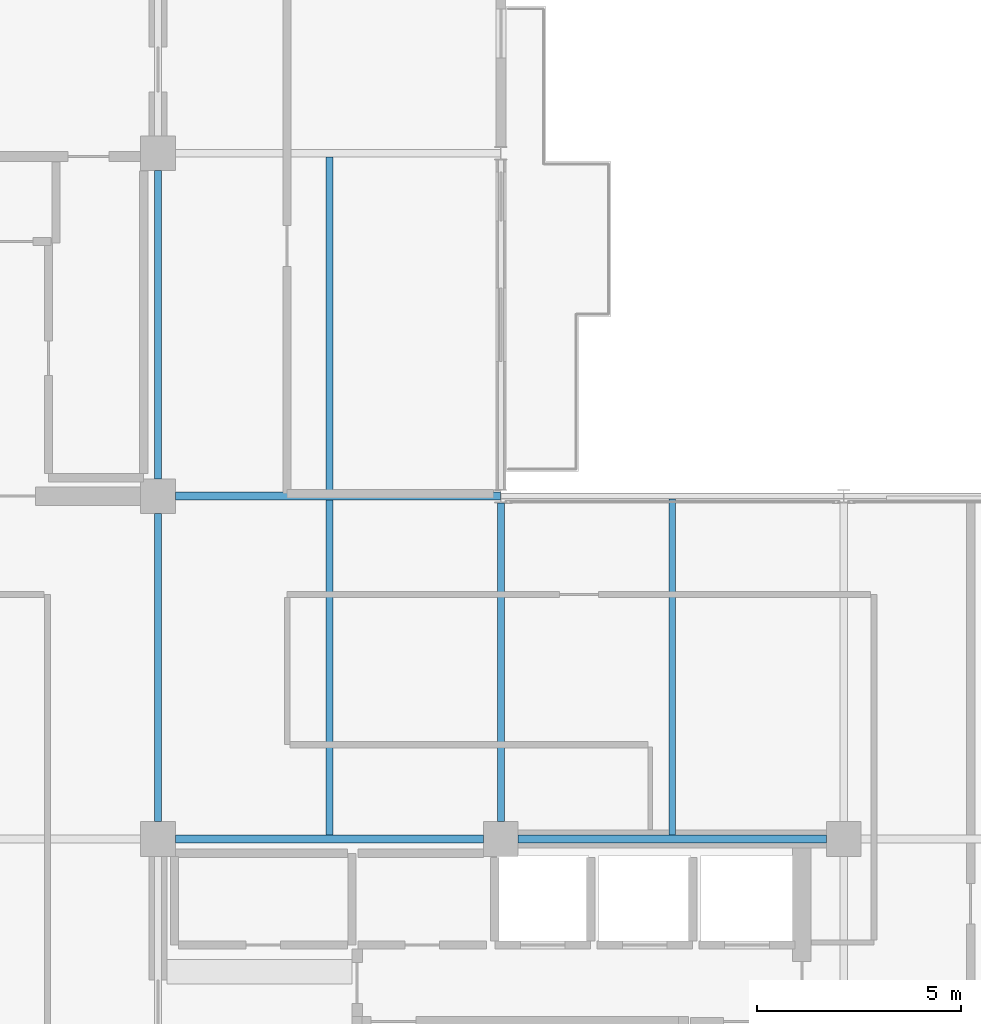
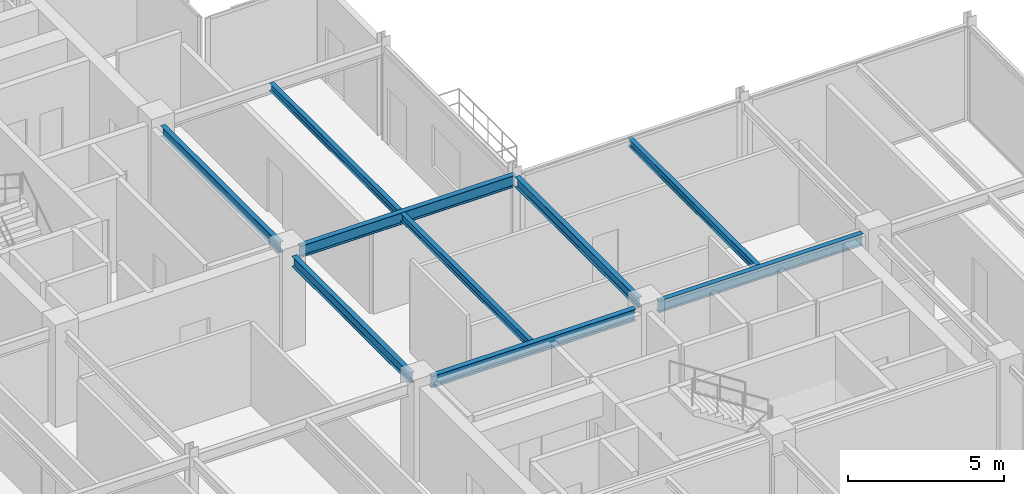
# One storey, part 12 of 26: 9 beams.
"""IFC4 building model written with IfcOpenShell, lengths in metres."""

import ifcopenshell
import ifcopenshell.guid

model = None  # the IFC model being written
_history = None  # IfcOwnerHistory: only IFC2X3 demands one
_inside = {}  # id of a spatial element -> (the spatial element, [elements in it])
_under = {}  # id of a project, library or spatial element -> (it, [spatial elements below it])
_declared = {}  # id of a project -> (the project, [libraries it declares])
_typed = {}  # id of a type object -> (the type object, [elements of that type])
_made_of = {}  # id of a material, layer set ... -> (it, [elements and type objects made of it])


def new_model(schema):
    """Start an empty IFC model of exactly this schema.

    Asked for "IFC4X3", IfcOpenShell would pick the latest addendum, in which some entities
    have other attributes; the version numbers below select the first issue.
    IFC2X3 requires an IfcOwnerHistory on every rooted entity: one is made here for all.
    """
    global model, _history
    if schema == "IFC4X3":
        model = ifcopenshell.file(schema_version=(4, 3, 0, 0))
    else:
        model = ifcopenshell.file(schema=schema)
    _inside.clear()
    _under.clear()
    _declared.clear()
    _typed.clear()
    _made_of.clear()
    _history = None
    if model.schema == "IFC2X3":
        org = make("IfcOrganization", Name="unknown")
        user = make(
            "IfcPersonAndOrganization",
            ThePerson=make("IfcPerson", FamilyName="unknown"),
            TheOrganization=org,
        )
        app = make(
            "IfcApplication",
            ApplicationDeveloper=org,
            Version="unknown",
            ApplicationFullName="unknown",
            ApplicationIdentifier="unknown",
        )
        _history = make(
            "IfcOwnerHistory",
            OwningUser=user,
            OwningApplication=app,
            ChangeAction="ADDED",
            CreationDate=0,
        )
    return model


def make(cls, **values):
    """One entity of the class cls with the attributes given. An attribute that is None is left unset."""
    return model.create_entity(
        cls, **{name: value for name, value in values.items() if value is not None}
    )


def rooted(cls, **values):
    """An entity with a GlobalId (a new one), such as an element, a storey or a relation."""
    return make(cls, GlobalId=ifcopenshell.guid.new(), OwnerHistory=_history, **values)


def si_unit(unit_type, name, prefix=None):
    """IfcSIUnit, for example si_unit("LENGTHUNIT", "METRE", prefix="MILLI")."""
    return make("IfcSIUnit", UnitType=unit_type, Prefix=prefix, Name=name)


def assignment(units):
    """IfcUnitAssignment: the units of a project."""
    return None if units is None else make("IfcUnitAssignment", Units=units)


def point(xyz):
    """IfcCartesianPoint."""
    return None if xyz is None else make("IfcCartesianPoint", Coordinates=xyz)


def direction(xyz):
    """IfcDirection."""
    return None if xyz is None else make("IfcDirection", DirectionRatios=xyz)


def frame(location, z_axis=None, x_axis=None):
    """IfcAxis2Placement3D, a coordinate frame: its origin and axes. An axis left out is left unset."""
    return make(
        "IfcAxis2Placement3D",
        Location=point(location),
        Axis=direction(z_axis),
        RefDirection=direction(x_axis),
    )


def frame_2d(location, x_axis=None):
    """IfcAxis2Placement2D, a coordinate frame in the plane: its origin and x axis."""
    return make(
        "IfcAxis2Placement2D", Location=point(location), RefDirection=direction(x_axis)
    )


def origin():
    """The frame at (0, 0, 0) with its axes left unset."""
    return frame((0.0, 0.0, 0.0))


def origin_2d():
    """The frame at (0, 0) in the plane with its x axis left unset."""
    return frame_2d((0.0, 0.0))


def place(relative_to, where):
    """IfcLocalPlacement: puts the frame where relative to a parent placement (None: the world)."""
    return make(
        "IfcLocalPlacement", PlacementRelTo=relative_to, RelativePlacement=where
    )


def context(
    kind, dimensions, precision=None, world=None, true_north=None, identifier=None
):
    """IfcGeometricRepresentationContext, for example the 3D "Model" context."""
    return make(
        "IfcGeometricRepresentationContext",
        ContextIdentifier=identifier,
        ContextType=kind,
        CoordinateSpaceDimension=dimensions,
        Precision=precision,
        WorldCoordinateSystem=world,
        TrueNorth=true_north,
    )


def subcontext(parent, identifier, kind, view, scale=None):
    """IfcGeometricRepresentationSubContext, for example "Body" below "Model"."""
    return make(
        "IfcGeometricRepresentationSubContext",
        ContextIdentifier=identifier,
        ContextType=kind,
        ParentContext=parent,
        TargetScale=scale,
        TargetView=view,
    )


def project(units=None, contexts=None):
    """IfcProject with its units and contexts."""
    return rooted(
        "IfcProject",
        Name="project",
        RepresentationContexts=contexts,
        UnitsInContext=assignment(units),
    )


def spatial(cls, under=None, at=None, **own):
    """A site, building, storey or space (cls), placed at a placement, below another one or the project."""
    s = rooted(cls, ObjectPlacement=at, **own)
    if under is not None:
        _under.setdefault(under.id(), (under, []))[1].append(s)
    return s


def profile(cls, at=None, kind="AREA", **sizes):
    """A parametric profile (cls). Its sizes go by their IFC names, for example OverallWidth=200.0."""
    return make(cls, ProfileType=kind, Position=at, **sizes)


def i_section(**sizes):
    """IfcIShapeProfileDef."""
    return profile("IfcIShapeProfileDef", **sizes)


def extrude(swept, where, along, depth):
    """IfcExtrudedAreaSolid: the profile swept, set in the frame where, extruded along a direction by depth."""
    return make(
        "IfcExtrudedAreaSolid",
        SweptArea=swept,
        Position=where,
        ExtrudedDirection=direction(along),
        Depth=depth,
    )


def shape(context_of_items, identifier, shape_type, items):
    """IfcShapeRepresentation: the items that make up one representation, for example the "Body"."""
    return make(
        "IfcShapeRepresentation",
        ContextOfItems=context_of_items,
        RepresentationIdentifier=identifier,
        RepresentationType=shape_type,
        Items=items,
    )


def material(Name=None, Category=None):
    """IfcMaterial."""
    return make("IfcMaterial", Name=Name, Category=Category)


def material_profile(
    of_material, cross_section, Name=None, Category=None, Priority=None
):
    """IfcMaterialProfile: a cross section and its material."""
    return make(
        "IfcMaterialProfile",
        Name=Name,
        Material=of_material,
        Profile=cross_section,
        Priority=Priority,
        Category=Category,
    )


def profile_set(profiles, Name=None, composite=None):
    """IfcMaterialProfileSet."""
    return make(
        "IfcMaterialProfileSet",
        Name=Name,
        MaterialProfiles=profiles,
        CompositeProfile=composite,
    )


def made_of(thing, what):
    """Note that an element or type object is made of a material, layer set ...; save() writes the relation."""
    if what is not None:
        _made_of.setdefault(what.id(), (what, []))[1].append(thing)
    return thing


def type_object(cls, material=None, **own):
    """A type object (cls), such as IfcWallType, which elements share."""
    return made_of(rooted(cls, **own), material)


def element(
    cls,
    number,
    at=None,
    inside=None,
    cuts=None,
    type_object=None,
    material=None,
    context=None,
    identifier="Body",
    shape_type=None,
    held_by="IfcProductDefinitionShape",
    body=None,
    shapes=None,
    **own,
):
    """One element of the class cls, such as IfcWall. Its Tag is "e" and its number.

    at: its placement. inside: the storey or other place that contains it. cuts: it is an
    opening in that element (IfcRelVoidsElement). A single representation is given by context,
    identifier, shape_type and body (its items); several are given by shapes. held_by: the class
    of the entity that holds the representations. save() writes the other relations.
    """
    e = rooted(cls, Tag="e%d" % number, ObjectPlacement=at, **own)
    if body is not None:
        shapes = [shape(context, identifier, shape_type, body)]
    if shapes is not None:
        e.Representation = make(held_by, Representations=shapes)
    if inside is not None:
        _inside.setdefault(inside.id(), (inside, []))[1].append(e)
    if cuts is not None:
        rooted(
            "IfcRelVoidsElement", RelatingBuildingElement=cuts, RelatedOpeningElement=e
        )
    if type_object is not None:
        _typed.setdefault(type_object.id(), (type_object, []))[1].append(e)
    return made_of(e, material)


def aggregate(whole, parts):
    """IfcRelAggregates: a whole, such as a stair, and the parts it consists of."""
    return rooted("IfcRelAggregates", RelatingObject=whole, RelatedObjects=parts)


def save(model, path):
    """Write the relations noted so far, then the file.

    IfcRelAggregates (storeys below a building ...), IfcRelContainedInSpatialStructure (elements
    in a storey), IfcRelDefinesByType, IfcRelAssociatesMaterial and IfcRelDeclares: one each for
    every whole, place, type object, material and project.
    """
    for whole, parts in _under.values():
        aggregate(whole, parts)
    for where, things in _inside.values():
        rooted(
            "IfcRelContainedInSpatialStructure",
            RelatedElements=things,
            RelatingStructure=where,
        )
    for kind, things in _typed.values():
        rooted("IfcRelDefinesByType", RelatedObjects=things, RelatingType=kind)
    for what, things in _made_of.values():
        rooted("IfcRelAssociatesMaterial", RelatedObjects=things, RelatingMaterial=what)
    for by, libraries in _declared.values():
        rooted("IfcRelDeclares", RelatingContext=by, RelatedDefinitions=libraries)
    model.write(path)


model = new_model("IFC4")

# Units and contexts
model_context = context("Model", 3, precision=1e-05, world=origin(), true_north=direction((0.0, 1.0)))
body_context = subcontext(model_context, "Body", "Model", "MODEL_VIEW")
ifc_project = project(units=[si_unit("LENGTHUNIT", "METRE"), si_unit("AREAUNIT", "SQUARE_METRE"), si_unit("VOLUMEUNIT", "CUBIC_METRE"), si_unit("PLANEANGLEUNIT", "RADIAN"), si_unit("MASSUNIT", "GRAM", prefix="KILO")], contexts=[model_context])

# Site, building, storey
site_placement = place(None, origin())
site = spatial("IfcSite", under=ifc_project, at=site_placement, CompositionType="ELEMENT")
building_placement = place(site_placement, origin())
building = spatial("IfcBuilding", under=site, at=building_placement, Name="Nerrivon Quay Data Exchange", CompositionType="ELEMENT")
storey_placement = place(building_placement, frame((0.0, 0.0, 282.199951171875)))
storey = spatial("IfcBuildingStorey", under=building, at=storey_placement, Name="L67", CompositionType="ELEMENT", Elevation=282.199951171875)

# Beams
ifc_material = material(Name="Steel Grade 350", Category="steel")
ifc_material_profile_1 = material_profile(ifc_material, i_section(OverallWidth=0.18994140625, OverallDepth=0.4541015625, WebThickness=0.008544921875, FlangeThickness=0.0126953125, FilletRadius=0.011474609375, at=origin_2d()), Name="460UB67.1")
ifc_profile_set_1 = profile_set([ifc_material_profile_1], Name="Steel Grade 350")
beam_type_1 = type_object("IfcBeamType", Name="BM-G6-460UB67", PredefinedType="BEAM", material=ifc_profile_set_1)
beam_1_placement = place(storey_placement, frame((17.22509765625, 16.800048828125, 3.423095703125), z_axis=(1.0, 0.0, 0.0), x_axis=(0.0, 1.0, 0.0)))
element("IfcBeam", 1, at=beam_1_placement, inside=storey, type_object=beam_type_1, Name="L67 EW Girder Y=16.8 (16.8..25.2)", PredefinedType="BEAM", context=body_context, shape_type="SweptSolid", body=[
    extrude(i_section(OverallWidth=0.18994140625, OverallDepth=0.4541015625, WebThickness=0.008544921875, FlangeThickness=0.0126953125, FilletRadius=0.011474609375, at=origin_2d()), origin(), (0.0, 0.0, 1.0), 7.5498046875),
])
beam_2_placement = place(storey_placement, frame((25.625, 16.800048828125, 3.423095703125), z_axis=(1.0, 0.0, 0.0), x_axis=(0.0, 1.0, 0.0)))
element("IfcBeam", 2, at=beam_2_placement, inside=storey, type_object=beam_type_1, Name="L67 EW Girder Y=16.8 (25.2..33.6)", PredefinedType="BEAM", context=body_context, shape_type="SweptSolid", body=[
    extrude(i_section(OverallWidth=0.18994140625, OverallDepth=0.4541015625, WebThickness=0.008544921875, FlangeThickness=0.0126953125, FilletRadius=0.011474609375, at=origin_2d()), origin(), (0.0, 0.0, 1.0), 7.550048828125),
])
beam_3_placement = place(storey_placement, frame((17.22509765625, 25.199951171875, 3.423095703125), z_axis=(1.0, 0.0, 0.0), x_axis=(0.0, 1.0, 0.0)))
element("IfcBeam", 3, at=beam_3_placement, inside=storey, type_object=beam_type_1, Name="L67 EW Girder Y=25.2 (16.8..25.2)", PredefinedType="BEAM", context=body_context, shape_type="SweptSolid", body=[
    extrude(i_section(OverallWidth=0.18994140625, OverallDepth=0.4541015625, WebThickness=0.008544921875, FlangeThickness=0.0126953125, FilletRadius=0.011474609375, at=origin_2d()), origin(), (0.0, 0.0, 1.0), 7.967041015625),
])
ifc_material_profile_2 = material_profile(ifc_material, i_section(OverallWidth=0.177978515625, OverallDepth=0.406005859375, WebThickness=0.0078125, FlangeThickness=0.0126953125, FilletRadius=0.011474609375, at=origin_2d()), Name="410UB59.7")
ifc_profile_set_2 = profile_set([ifc_material_profile_2], Name="Steel Grade 350")
beam_type_2 = type_object("IfcBeamType", Name="BM-J1-410UB60", PredefinedType="JOIST", material=ifc_profile_set_2)
beam_4_placement = place(storey_placement, frame((16.800048828125, 17.22509765625, 3.447021484375), z_axis=(0.0, 1.0, 0.0), x_axis=(-1.0, 0.0, 0.0)))
element("IfcBeam", 4, at=beam_4_placement, inside=storey, type_object=beam_type_2, Name="L67 NS Girder X=16.8 (16.8..25.2)", PredefinedType="JOIST", context=body_context, shape_type="SweptSolid", body=[
    extrude(i_section(OverallWidth=0.177978515625, OverallDepth=0.406005859375, WebThickness=0.0078125, FlangeThickness=0.0126953125, FilletRadius=0.011474609375, at=origin_2d()), origin(), (0.0, 0.0, 1.0), 7.5498046875),
])
beam_5_placement = place(storey_placement, frame((16.800048828125, 25.625, 3.447021484375), z_axis=(0.0, 1.0, 0.0), x_axis=(-1.0, 0.0, 0.0)))
element("IfcBeam", 5, at=beam_5_placement, inside=storey, type_object=beam_type_2, Name="L67 NS Girder X=16.8 (25.2..33.6)", PredefinedType="JOIST", context=body_context, shape_type="SweptSolid", body=[
    extrude(i_section(OverallWidth=0.177978515625, OverallDepth=0.406005859375, WebThickness=0.0078125, FlangeThickness=0.0126953125, FilletRadius=0.011474609375, at=origin_2d()), origin(), (0.0, 0.0, 1.0), 7.550048828125),
])
beam_6_placement = place(storey_placement, frame((25.199951171875, 17.22509765625, 3.447021484375), z_axis=(0.0, 1.0, 0.0), x_axis=(-1.0, 0.0, 0.0)))
element("IfcBeam", 6, at=beam_6_placement, inside=storey, type_object=beam_type_2, Name="L67 NS Girder X=25.2 (16.8..25.2)", PredefinedType="JOIST", context=body_context, shape_type="SweptSolid", body=[
    extrude(i_section(OverallWidth=0.177978515625, OverallDepth=0.406005859375, WebThickness=0.0078125, FlangeThickness=0.0126953125, FilletRadius=0.011474609375, at=origin_2d()), origin(), (0.0, 0.0, 1.0), 7.8115234375),
])
ifc_material_profile_3 = material_profile(ifc_material, i_section(OverallWidth=0.1650390625, OverallDepth=0.303955078125, WebThickness=0.006103515625, FlangeThickness=0.01025390625, FilletRadius=0.011474609375, at=origin_2d()), Name="310UB40.4")
ifc_profile_set_3 = profile_set([ifc_material_profile_3], Name="Steel Grade 350")
beam_type_3 = type_object("IfcBeamType", Name="BM-J6-310UB40", PredefinedType="JOIST", material=ifc_profile_set_3)
for number, where, z_axis, x_axis, name in (
    (7, (21.0, 16.89501953125, 3.498046875), (0.0, 1.0, 0.0), (-1.0, 0.0, 0.0), "L67 Secondary Joist X=21.0 (16.8..25.2)"),
    (8, (21.0, 25.294921875, 3.498046875), (0.0, 1.0, 0.0), (-1.0, 0.0, 0.0), "L67 Secondary Joist X=21.0 (25.2..33.6)"),
):
    element("IfcBeam", number, at=place(storey_placement, frame(where, z_axis=z_axis, x_axis=x_axis)), inside=storey, type_object=beam_type_3, Name=name, PredefinedType="JOIST", context=body_context, shape_type="SweptSolid", body=[
        extrude(i_section(OverallWidth=0.1650390625, OverallDepth=0.303955078125, WebThickness=0.006103515625, FlangeThickness=0.01025390625, FilletRadius=0.011474609375, at=origin_2d()), origin(), (0.0, 0.0, 1.0), 8.2099609375),
    ])
beam_7_placement = place(storey_placement, frame((29.39990234375, 16.89501953125, 3.498046875), z_axis=(0.0, 1.0, 0.0), x_axis=(-1.0, 0.0, 0.0)))
element("IfcBeam", 9, at=beam_7_placement, inside=storey, type_object=beam_type_3, Name="L67 Secondary Joist X=29.4 (16.8..25.2)", PredefinedType="JOIST", context=body_context, shape_type="SweptSolid", body=[
    extrude(i_section(OverallWidth=0.1650390625, OverallDepth=0.303955078125, WebThickness=0.006103515625, FlangeThickness=0.01025390625, FilletRadius=0.011474609375, at=origin_2d()), origin(), (0.0, 0.0, 1.0), 8.22998046875),
])

save(model, "model.ifc")
